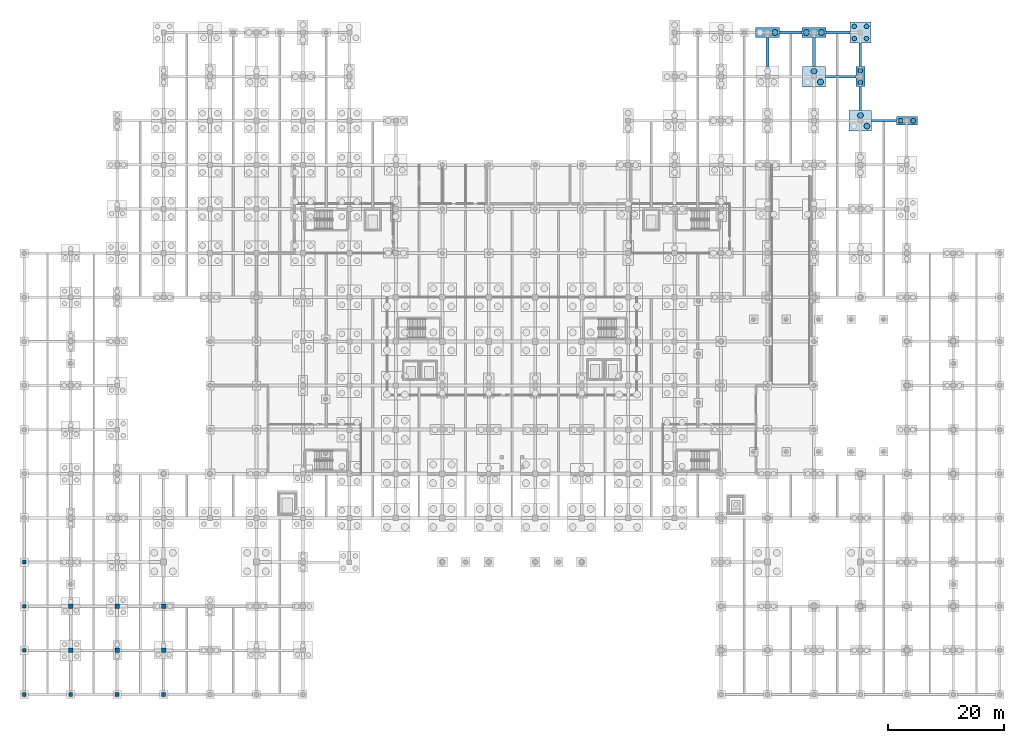
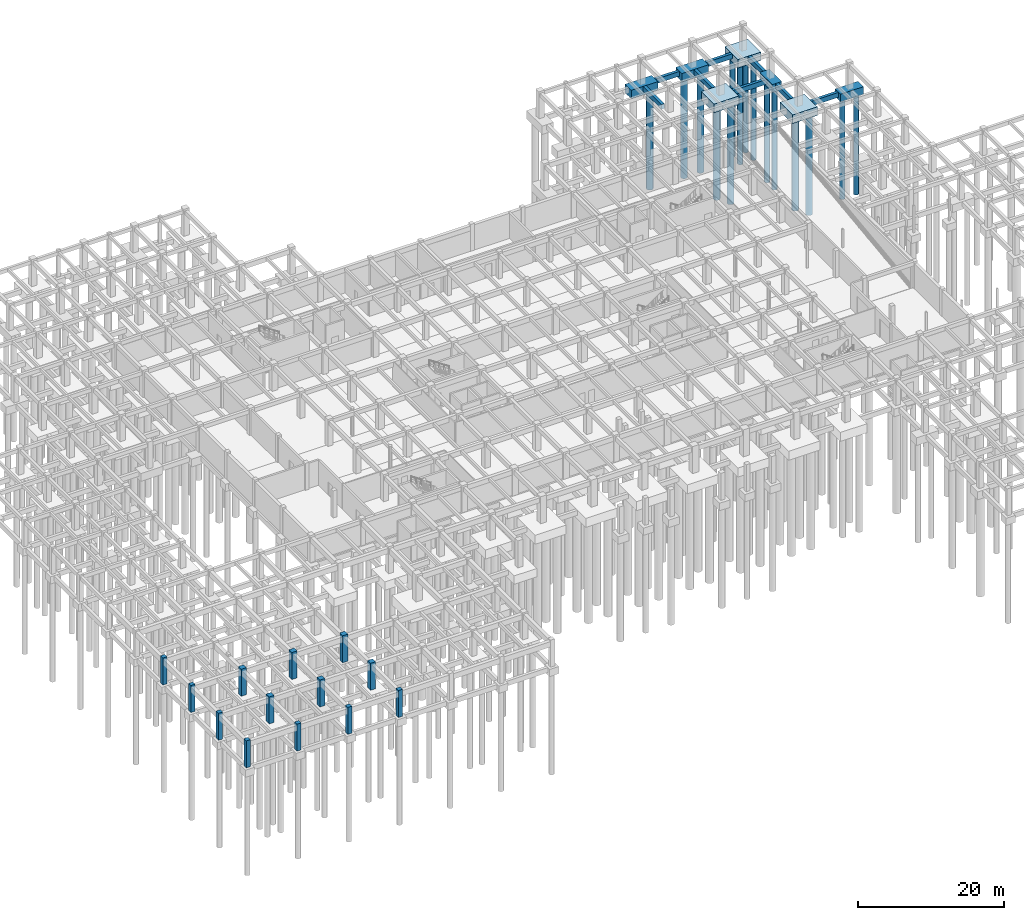
# One storey, part 16 of 49: 15 footings, 15 piles, 13 columns.
"""IFC4 building model written with IfcOpenShell, lengths in metres."""

from ifc_helpers import new_model, si_unit, direction, frame, origin, origin_2d, place, context, subcontext, project, spatial, rectangle, circle, extrude, material, layer, layer_set, material_profile, profile_set, type_object, element, save


model = new_model("IFC4")

# Units and contexts
model_context = context("Model", 3, precision=1e-05, world=origin(), true_north=direction((0.0, 1.0)))
body_context = subcontext(model_context, "Body", "Model", "MODEL_VIEW")
ifc_project = project(units=[si_unit("LENGTHUNIT", "METRE"), si_unit("AREAUNIT", "SQUARE_METRE"), si_unit("VOLUMEUNIT", "CUBIC_METRE"), si_unit("PLANEANGLEUNIT", "RADIAN"), si_unit("MASSUNIT", "GRAM", prefix="KILO")], contexts=[model_context])

# Site, building, storey
site_placement = place(None, origin())
site = spatial("IfcSite", under=ifc_project, at=site_placement, CompositionType="ELEMENT")
building_placement = place(site_placement, origin())
building = spatial("IfcBuilding", under=site, at=building_placement, Name="Zantavel Square City Hall", CompositionType="ELEMENT")
storey_placement = place(building_placement, frame((0.0, 0.0, -4.5)))
storey = spatial("IfcBuildingStorey", under=building, at=storey_placement, Name="B1", CompositionType="ELEMENT", Elevation=-4.5)

# Piles
ifc_material_1 = material(Name="Concrete C35/45", Category="concrete")
ifc_material_profile_1 = material_profile(ifc_material_1, circle(Radius=0.5, at=origin_2d()), Name="PILE D1000")
ifc_profile_set_1 = profile_set([ifc_material_profile_1], Name="Concrete C35/45")
pile_type_1 = type_object("IfcPileType", Name="Bored Pile D1000 Concrete C35/45", PredefinedType="BORED", material=ifc_profile_set_1)
pile_placement = place(storey_placement, frame((129.300048828125, 114.0, -1.300048828125), z_axis=(0.0, 0.0, -1.0), x_axis=(1.0, 0.0, 0.0)))
element("IfcPile", 1, at=pile_placement, inside=storey, type_object=pile_type_1, Name="Bored Pile FDN-PL-1280-1140-2", PredefinedType="BORED", context=body_context, shape_type="SweptSolid", body=[
    extrude(circle(Radius=0.5, at=origin_2d()), origin(), (0.0, 0.0, 1.0), 16.699951171875),
])
for number, where, z_axis, x_axis, name in (
    (2, (137.1201171875, 105.47998046875, -1.35009765625), (0.0, 0.0, -1.0), (1.0, 0.0, 0.0), "Bored Pile FDN-PL-1360-1064-2"),
    (3, (136.0, 107.320068359375, -1.35009765625), (0.0, 0.0, -1.0), (1.0, 0.0, 0.0), "Bored Pile FDN-PL-1360-1064-3"),
):
    element("IfcPile", number, at=place(storey_placement, frame(where, z_axis=z_axis, x_axis=x_axis)), inside=storey, type_object=pile_type_1, Name=name, PredefinedType="BORED", context=body_context, shape_type="SweptSolid", body=[
        extrude(circle(Radius=0.5, at=origin_2d()), origin(), (0.0, 0.0, 1.0), 16.64990234375),
    ])
for number, where, z_axis, x_axis, name in (
    (4, (134.699951171875, 114.0, -1.300048828125), (0.0, 0.0, -1.0), (1.0, 0.0, 0.0), "Bored Pile FDN-PL-1360-1140-1"),
    (5, (137.300048828125, 114.0, -1.300048828125), (0.0, 0.0, -1.0), (1.0, 0.0, 0.0), "Bored Pile FDN-PL-1360-1140-2"),
):
    element("IfcPile", number, at=place(storey_placement, frame(where, z_axis=z_axis, x_axis=x_axis)), inside=storey, type_object=pile_type_1, Name=name, PredefinedType="BORED", context=body_context, shape_type="SweptSolid", body=[
        extrude(circle(Radius=0.5, at=origin_2d()), origin(), (0.0, 0.0, 1.0), 16.699951171875),
    ])
for number, where, z_axis, x_axis, name in (
    (6, (145.1201171875, 97.8798828125, -1.35009765625), (0.0, 0.0, -1.0), (1.0, 0.0, 0.0), "Bored Pile FDN-PL-1440-0988-2"),
    (7, (144.0, 99.719970703125, -1.35009765625), (0.0, 0.0, -1.0), (1.0, 0.0, 0.0), "Bored Pile FDN-PL-1440-0988-3"),
):
    element("IfcPile", number, at=place(storey_placement, frame(where, z_axis=z_axis, x_axis=x_axis)), inside=storey, type_object=pile_type_1, Name=name, PredefinedType="BORED", context=body_context, shape_type="SweptSolid", body=[
        extrude(circle(Radius=0.5, at=origin_2d()), origin(), (0.0, 0.0, 1.0), 16.64990234375),
    ])
ifc_material_profile_2 = material_profile(ifc_material_1, circle(Radius=0.39990234375, at=origin_2d()), Name="PILE D800")
ifc_profile_set_2 = profile_set([ifc_material_profile_2], Name="Concrete C35/45")
pile_type_2 = type_object("IfcPileType", Name="Bored Pile D800 Concrete C35/45", PredefinedType="BORED", material=ifc_profile_set_2)
for number, where, z_axis, x_axis, name in (
    (8, (144.0, 105.39990234375, -1.199951171875), (0.0, 0.0, -1.0), (1.0, 0.0, 0.0), "Bored Pile FDN-PL-1440-1064-1"),
    (9, (144.0, 107.39990234375, -1.199951171875), (0.0, 0.0, -1.0), (1.0, 0.0, 0.0), "Bored Pile FDN-PL-1440-1064-2"),
):
    element("IfcPile", number, at=place(storey_placement, frame(where, z_axis=z_axis, x_axis=x_axis)), inside=storey, type_object=pile_type_2, Name=name, PredefinedType="BORED", context=body_context, shape_type="SweptSolid", body=[
        extrude(circle(Radius=0.39990234375, at=origin_2d()), origin(), (0.0, 0.0, 1.0), 16.800048828125),
    ])
for number, where, z_axis, x_axis, name in (
    (10, (142.949951171875, 112.949951171875, -1.300048828125), (0.0, 0.0, -1.0), (1.0, 0.0, 0.0), "Bored Pile FDN-PL-1440-1140-1"),
    (11, (145.050048828125, 112.949951171875, -1.300048828125), (0.0, 0.0, -1.0), (1.0, 0.0, 0.0), "Bored Pile FDN-PL-1440-1140-2"),
    (12, (142.949951171875, 115.050048828125, -1.300048828125), (0.0, 0.0, -1.0), (1.0, 0.0, 0.0), "Bored Pile FDN-PL-1440-1140-3"),
    (13, (145.050048828125, 115.050048828125, -1.300048828125), (0.0, 0.0, -1.0), (1.0, 0.0, 0.0), "Bored Pile FDN-PL-1440-1140-4"),
):
    element("IfcPile", number, at=place(storey_placement, frame(where, z_axis=z_axis, x_axis=x_axis)), inside=storey, type_object=pile_type_2, Name=name, PredefinedType="BORED", context=body_context, shape_type="SweptSolid", body=[
        extrude(circle(Radius=0.39990234375, at=origin_2d()), origin(), (0.0, 0.0, 1.0), 16.699951171875),
    ])
for number, where, z_axis, x_axis, name in (
    (14, (150.89990234375, 98.800048828125, -1.199951171875), (0.0, 0.0, -1.0), (1.0, 0.0, 0.0), "Bored Pile FDN-PL-1520-0988-1"),
    (15, (153.10009765625, 98.800048828125, -1.199951171875), (0.0, 0.0, -1.0), (1.0, 0.0, 0.0), "Bored Pile FDN-PL-1520-0988-2"),
):
    element("IfcPile", number, at=place(storey_placement, frame(where, z_axis=z_axis, x_axis=x_axis)), inside=storey, type_object=pile_type_2, Name=name, PredefinedType="BORED", context=body_context, shape_type="SweptSolid", body=[
        extrude(circle(Radius=0.39990234375, at=origin_2d()), origin(), (0.0, 0.0, 1.0), 16.800048828125),
    ])

# Footings
ifc_material_profile_3 = material_profile(ifc_material_1, rectangle(XDim=0.449951171875, YDim=0.800048828125, at=origin_2d()), Name="RC 450x800")
ifc_profile_set_3 = profile_set([ifc_material_profile_3], Name="Concrete C35/45")
footing_type_1 = type_object("IfcFootingType", Name="Courtyard Grade Tie Beam 450x800 C35/45", PredefinedType="FOOTING_BEAM", material=ifc_profile_set_3)
footing_1_placement = place(storey_placement, frame((128.0, 108.14990234375, -0.39990234375), z_axis=(0.0, 1.0, 0.0), x_axis=(-1.0, 0.0, 0.0)))
element("IfcFooting", 16, at=footing_1_placement, inside=storey, type_object=footing_type_1, Name="Grade Tie Beam FDN-GTBY-1280-1064", PredefinedType="FOOTING_BEAM", context=body_context, shape_type="SweptSolid", body=[
    extrude(rectangle(XDim=0.449951171875, YDim=0.800048828125, at=origin_2d()), origin(), (0.0, 0.0, 1.0), 5.0),
])
footing_2_placement = place(storey_placement, frame((130.10009765625, 114.0, -0.39990234375), z_axis=(1.0, 0.0, 0.0), x_axis=(0.0, 1.0, 0.0)))
element("IfcFooting", 17, at=footing_2_placement, inside=storey, type_object=footing_type_1, Name="Grade Tie Beam FDN-GTBX-1280-1140", PredefinedType="FOOTING_BEAM", context=body_context, shape_type="SweptSolid", body=[
    extrude(rectangle(XDim=0.449951171875, YDim=0.800048828125, at=origin_2d()), origin(), (0.0, 0.0, 1.0), 3.7998046875),
])
footing_3_placement = place(storey_placement, frame((137.949951171875, 106.39990234375, -0.39990234375), z_axis=(1.0, 0.0, 0.0), x_axis=(0.0, 1.0, 0.0)))
element("IfcFooting", 18, at=footing_3_placement, inside=storey, type_object=footing_type_1, Name="Grade Tie Beam FDN-GTBX-1360-1064", PredefinedType="FOOTING_BEAM", context=body_context, shape_type="SweptSolid", body=[
    extrude(rectangle(XDim=0.449951171875, YDim=0.800048828125, at=origin_2d()), origin(), (0.0, 0.0, 1.0), 5.300048828125),
])
footing_4_placement = place(storey_placement, frame((136.0, 108.14990234375, -0.39990234375), z_axis=(0.0, 1.0, 0.0), x_axis=(-1.0, 0.0, 0.0)))
element("IfcFooting", 19, at=footing_4_placement, inside=storey, type_object=footing_type_1, Name="Grade Tie Beam FDN-GTBY-1360-1064", PredefinedType="FOOTING_BEAM", context=body_context, shape_type="SweptSolid", body=[
    extrude(rectangle(XDim=0.449951171875, YDim=0.800048828125, at=origin_2d()), origin(), (0.0, 0.0, 1.0), 5.0),
])
footing_5_placement = place(storey_placement, frame((138.10009765625, 114.0, -0.39990234375), z_axis=(1.0, 0.0, 0.0), x_axis=(0.0, 1.0, 0.0)))
element("IfcFooting", 20, at=footing_5_placement, inside=storey, type_object=footing_type_1, Name="Grade Tie Beam FDN-GTBX-1360-1140", PredefinedType="FOOTING_BEAM", context=body_context, shape_type="SweptSolid", body=[
    extrude(rectangle(XDim=0.449951171875, YDim=0.800048828125, at=origin_2d()), origin(), (0.0, 0.0, 1.0), 4.099853515625),
])
footing_6_placement = place(storey_placement, frame((145.949951171875, 98.800048828125, -0.39990234375), z_axis=(1.0, 0.0, 0.0), x_axis=(0.0, 1.0, 0.0)))
element("IfcFooting", 21, at=footing_6_placement, inside=storey, type_object=footing_type_1, Name="Grade Tie Beam FDN-GTBX-1440-0988", PredefinedType="FOOTING_BEAM", context=body_context, shape_type="SweptSolid", body=[
    extrude(rectangle(XDim=0.449951171875, YDim=0.800048828125, at=origin_2d()), origin(), (0.0, 0.0, 1.0), 4.25),
])
footing_7_placement = place(storey_placement, frame((144.0, 100.550048828125, -0.39990234375), z_axis=(0.0, 1.0, 0.0), x_axis=(-1.0, 0.0, 0.0)))
element("IfcFooting", 22, at=footing_7_placement, inside=storey, type_object=footing_type_1, Name="Grade Tie Beam FDN-GTBY-1440-0988", PredefinedType="FOOTING_BEAM", context=body_context, shape_type="SweptSolid", body=[
    extrude(rectangle(XDim=0.449951171875, YDim=0.800048828125, at=origin_2d()), origin(), (0.0, 0.0, 1.0), 4.14990234375),
])
footing_8_placement = place(storey_placement, frame((144.0, 108.10009765625, -0.39990234375), z_axis=(0.0, 1.0, 0.0), x_axis=(-1.0, 0.0, 0.0)))
element("IfcFooting", 23, at=footing_8_placement, inside=storey, type_object=footing_type_1, Name="Grade Tie Beam FDN-GTBY-1440-1064", PredefinedType="FOOTING_BEAM", context=body_context, shape_type="SweptSolid", body=[
    extrude(rectangle(XDim=0.449951171875, YDim=0.800048828125, at=origin_2d()), origin(), (0.0, 0.0, 1.0), 4.099853515625),
])
ifc_material_2 = material(Name="Concrete C40/50", Category="concrete")
ifc_layer_1 = layer(ifc_material_2, 1.39990234375, Name="Concrete C40/50")
ifc_layer_set_1 = layer_set([ifc_layer_1], Name="Concrete C40/50")
footing_type_2 = type_object("IfcFootingType", Name="Pile Cap 2P-D1000X 4200x1700x1400", PredefinedType="PILE_CAP", material=ifc_layer_set_1)
for number, where, z_axis, x_axis, name in (
    (24, (128.0, 114.0, -1.39990234375), (0.0, 0.0, 1.0), (1.0, 0.0, 0.0), "Pile Cap FDN-PC-1280-1140"),
    (25, (136.0, 114.0, -1.39990234375), (0.0, 0.0, 1.0), (1.0, 0.0, 0.0), "Pile Cap FDN-PC-1360-1140"),
):
    element("IfcFooting", number, at=place(storey_placement, frame(where, z_axis=z_axis, x_axis=x_axis)), inside=storey, type_object=footing_type_2, Name=name, PredefinedType="PILE_CAP", context=body_context, shape_type="SweptSolid", body=[
        extrude(rectangle(XDim=4.199951171875, YDim=1.699951171875, at=origin_2d()), origin(), (0.0, 0.0, 1.0), 1.39990234375),
    ])
ifc_layer_2 = layer(ifc_material_2, 1.300048828125, Name="Concrete C40/50")
ifc_layer_set_2 = layer_set([ifc_layer_2], Name="Concrete C40/50")
footing_type_3 = type_object("IfcFootingType", Name="Pile Cap 2P-D800X 3600x1500x1300", PredefinedType="PILE_CAP", material=ifc_layer_set_2)
footing_9_placement = place(storey_placement, frame((152.0, 98.800048828125, -1.2998046875), z_axis=(0.0, 0.0, 1.0), x_axis=(1.0, 0.0, 0.0)))
element("IfcFooting", 26, at=footing_9_placement, inside=storey, type_object=footing_type_3, Name="Pile Cap FDN-PC-1520-0988", PredefinedType="PILE_CAP", context=body_context, shape_type="SweptSolid", body=[
    extrude(rectangle(XDim=3.60009765625, YDim=1.5, at=origin_2d()), origin(), (0.0, 0.0, 1.0), 1.300048828125),
])
ifc_layer_3 = layer(ifc_material_2, 1.300048828125, Name="Concrete C40/50")
ifc_layer_set_3 = layer_set([ifc_layer_3], Name="Concrete C40/50")
footing_type_4 = type_object("IfcFootingType", Name="Pile Cap 2P-D800Y 1500x3400x1300", PredefinedType="PILE_CAP", material=ifc_layer_set_3)
footing_10_placement = place(storey_placement, frame((144.0, 106.39990234375, -1.2998046875), z_axis=(0.0, 0.0, 1.0), x_axis=(1.0, 0.0, 0.0)))
element("IfcFooting", 27, at=footing_10_placement, inside=storey, type_object=footing_type_4, Name="Pile Cap FDN-PC-1440-1064", PredefinedType="PILE_CAP", context=body_context, shape_type="SweptSolid", body=[
    extrude(rectangle(XDim=1.5, YDim=3.39990234375, at=origin_2d()), origin(), (0.0, 0.0, 1.0), 1.300048828125),
])
ifc_layer_4 = layer(ifc_material_2, 1.449951171875, Name="Concrete C40/50")
ifc_layer_set_4 = layer_set([ifc_layer_4], Name="Concrete C40/50")
footing_type_5 = type_object("IfcFootingType", Name="Pile Cap 3P-D1000 3900x3500x1450", PredefinedType="PILE_CAP", material=ifc_layer_set_4)
for number, where, z_axis, x_axis, name in (
    (28, (136.0, 106.39990234375, -1.4501953125), (0.0, 0.0, 1.0), (1.0, 0.0, 0.0), "Pile Cap FDN-PC-1360-1064"),
    (29, (144.0, 98.800048828125, -1.4501953125), (0.0, 0.0, 1.0), (1.0, 0.0, 0.0), "Pile Cap FDN-PC-1440-0988"),
):
    element("IfcFooting", number, at=place(storey_placement, frame(where, z_axis=z_axis, x_axis=x_axis)), inside=storey, type_object=footing_type_5, Name=name, PredefinedType="PILE_CAP", context=body_context, shape_type="SweptSolid", body=[
        extrude(rectangle(XDim=3.89990234375, YDim=3.5, at=origin_2d()), origin(), (0.0, 0.0, 1.0), 1.449951171875),
    ])
ifc_layer_5 = layer(ifc_material_2, 1.39990234375, Name="Concrete C40/50")
ifc_layer_set_5 = layer_set([ifc_layer_5], Name="Concrete C40/50")
footing_type_6 = type_object("IfcFootingType", Name="Pile Cap 4P-D800 3600x3600x1400", PredefinedType="PILE_CAP", material=ifc_layer_set_5)
footing_11_placement = place(storey_placement, frame((144.0, 114.0, -1.39990234375), z_axis=(0.0, 0.0, 1.0), x_axis=(1.0, 0.0, 0.0)))
element("IfcFooting", 30, at=footing_11_placement, inside=storey, type_object=footing_type_6, Name="Pile Cap FDN-PC-1440-1140", PredefinedType="PILE_CAP", context=body_context, shape_type="SweptSolid", body=[
    extrude(rectangle(XDim=3.60009765625, YDim=3.60009765625, at=origin_2d()), origin(), (0.0, 0.0, 1.0), 1.39990234375),
])

# Columns
ifc_material_profile_4 = material_profile(ifc_material_2, rectangle(XDim=0.64990234375, YDim=0.64990234375, at=origin_2d()), Name="RC 650x650")
ifc_profile_set_4 = profile_set([ifc_material_profile_4], Name="Concrete C40/50")
column_type_1 = type_object("IfcColumnType", Name="Column RC 650x650 C40/50", PredefinedType="COLUMN", material=ifc_profile_set_4)
for number, where, z_axis, x_axis, name in (
    (31, (0.0, 0.0, 0.0), (0.0, 0.0, 1.0), (1.0, 0.0, 0.0), "B1 Column COL-B1-0000-0000"),
    (32, (0.0, 7.60009765625, 0.0), (0.0, 0.0, 1.0), (1.0, 0.0, 0.0), "B1 Column COL-B1-0000-0076"),
    (33, (0.0, 15.199951171875, 0.0), (0.0, 0.0, 1.0), (1.0, 0.0, 0.0), "B1 Column COL-B1-0000-0152"),
    (34, (0.0, 22.800048828125, 0.0), (0.0, 0.0, 1.0), (1.0, 0.0, 0.0), "B1 Column COL-B1-0000-0228"),
    (35, (8.0, 0.0, 0.0), (0.0, 0.0, 1.0), (1.0, 0.0, 0.0), "B1 Column COL-B1-0080-0000"),
    (36, (16.0, 0.0, 0.0), (0.0, 0.0, 1.0), (1.0, 0.0, 0.0), "B1 Column COL-B1-0160-0000"),
    (37, (24.0, 0.0, 0.0), (0.0, 0.0, 1.0), (1.0, 0.0, 0.0), "B1 Column COL-B1-0240-0000"),
):
    element("IfcColumn", number, at=place(storey_placement, frame(where, z_axis=z_axis, x_axis=x_axis)), inside=storey, type_object=column_type_1, Name=name, PredefinedType="COLUMN", context=body_context, shape_type="SweptSolid", body=[
        extrude(rectangle(XDim=0.64990234375, YDim=0.64990234375, at=origin_2d()), origin(), (0.0, 0.0, 1.0), 4.5),
    ])
ifc_material_profile_5 = material_profile(ifc_material_2, rectangle(XDim=0.800048828125, YDim=0.800048828125, at=origin_2d()), Name="RC 800x800")
ifc_profile_set_5 = profile_set([ifc_material_profile_5], Name="Concrete C40/50")
column_type_2 = type_object("IfcColumnType", Name="Column RC 800x800 C40/50", PredefinedType="COLUMN", material=ifc_profile_set_5)
for number, where, z_axis, x_axis, name in (
    (38, (8.0, 7.60009765625, 0.0), (0.0, 0.0, 1.0), (1.0, 0.0, 0.0), "B1 Column COL-B1-0080-0076"),
    (39, (8.0, 15.199951171875, 0.0), (0.0, 0.0, 1.0), (1.0, 0.0, 0.0), "B1 Column COL-B1-0080-0152"),
    (40, (16.0, 7.60009765625, 0.0), (0.0, 0.0, 1.0), (1.0, 0.0, 0.0), "B1 Column COL-B1-0160-0076"),
    (41, (16.0, 15.199951171875, 0.0), (0.0, 0.0, 1.0), (1.0, 0.0, 0.0), "B1 Column COL-B1-0160-0152"),
    (42, (24.0, 7.60009765625, 0.0), (0.0, 0.0, 1.0), (1.0, 0.0, 0.0), "B1 Column COL-B1-0240-0076"),
    (43, (24.0, 15.199951171875, 0.0), (0.0, 0.0, 1.0), (1.0, 0.0, 0.0), "B1 Column COL-B1-0240-0152"),
):
    element("IfcColumn", number, at=place(storey_placement, frame(where, z_axis=z_axis, x_axis=x_axis)), inside=storey, type_object=column_type_2, Name=name, PredefinedType="COLUMN", context=body_context, shape_type="SweptSolid", body=[
        extrude(rectangle(XDim=0.800048828125, YDim=0.800048828125, at=origin_2d()), origin(), (0.0, 0.0, 1.0), 4.5),
    ])

save(model, "model.ifc")
